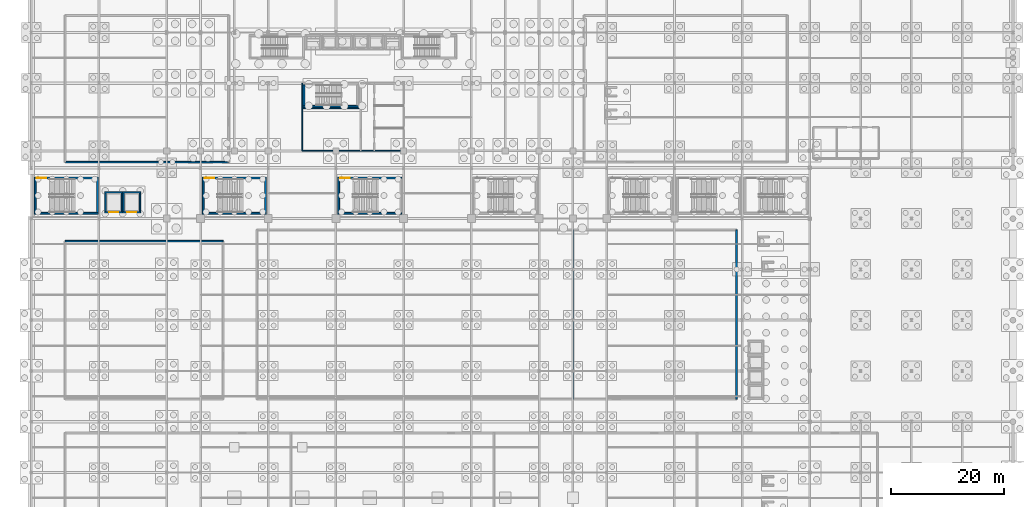
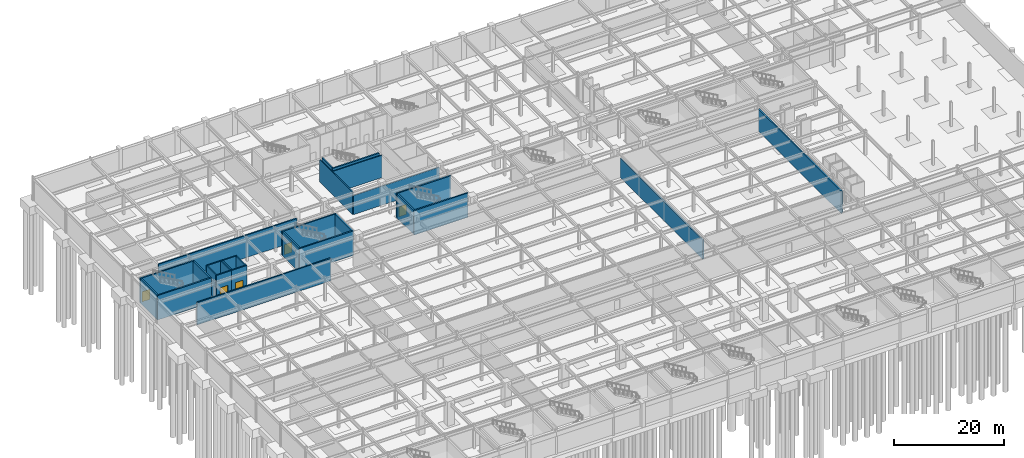
# One storey, part 28 of 47: 28 walls, 5 doors, 5 openings.
"""IFC4 building model written with IfcOpenShell, lengths in metres."""

from ifc_helpers import new_model, si_unit, direction, frame, frame_2d, origin, place, context, subcontext, project, spatial, rectangle, extrude, material, layer, layer_set, type_object, element, fill, save


model = new_model("IFC4")

# Units and contexts
model_context = context("Model", 3, precision=1e-05, world=origin(), true_north=direction((0.0, 1.0)))
body_context = subcontext(model_context, "Body", "Model", "MODEL_VIEW")
ifc_project = project(units=[si_unit("LENGTHUNIT", "METRE"), si_unit("AREAUNIT", "SQUARE_METRE"), si_unit("VOLUMEUNIT", "CUBIC_METRE"), si_unit("PLANEANGLEUNIT", "RADIAN"), si_unit("MASSUNIT", "GRAM", prefix="KILO")], contexts=[model_context])

# Site, building, storey
site_placement = place(None, origin())
site = spatial("IfcSite", under=ifc_project, at=site_placement, CompositionType="ELEMENT")
building_placement = place(site_placement, origin())
building = spatial("IfcBuilding", under=site, at=building_placement, Name="Kaldorvane Square Convention Centre", CompositionType="ELEMENT")
storey_placement = place(building_placement, frame((0.0, 0.0, -5.399993896484375)))
storey = spatial("IfcBuildingStorey", under=building, at=storey_placement, Name="B01", CompositionType="ELEMENT", Elevation=-5.399993896484375)

# Walls
ifc_material_1 = material(Name="Reinforced Concrete Masonry Acoustic Partition", Category="masonry")
ifc_layer_1 = layer(ifc_material_1, 0.279998779296875)
ifc_layer_set_1 = layer_set([ifc_layer_1], Name="Reinforced Concrete Masonry Acoustic Partition")
wall_type_1 = type_object("IfcWallType", Name="WL-ACO-280", PredefinedType="PARTITIONING", material=ifc_layer_set_1)
wall_1_placement = place(storey_placement, frame((34.0, 68.0, 0.0), z_axis=(0.0, 0.0, 1.0), x_axis=(-1.0, 0.0, 0.0)))
element("IfcWall", 1, at=wall_1_placement, inside=storey, type_object=wall_type_1, Name="Fire Pump and Domestic Booster Water Room N Wall", PredefinedType="PARTITIONING", context=body_context, shape_type="SweptSolid", body=[
    extrude(rectangle(XDim=28.0, YDim=0.279998779296875, at=frame_2d((14.0, 0.0))), origin(), (0.0, 0.0, 1.0), 4.959991455078125),
])
wall_2_placement = place(storey_placement, frame((96.0, 40.0, 0.0), z_axis=(0.0, 0.0, 1.0), x_axis=(0.0, 1.0, 0.0)))
element("IfcWall", 2, at=wall_2_placement, inside=storey, type_object=wall_type_1, Name="Exhibition Crate Marshalling and Rigging Storage E Wall", PredefinedType="PARTITIONING", context=body_context, shape_type="SweptSolid", body=[
    extrude(rectangle(XDim=30.0, YDim=0.279998779296875, at=frame_2d((15.0, 0.0))), origin(), (0.0, 0.0, 1.0), 4.25299072265625),
])
wall_3_placement = place(storey_placement, frame((125.0, 40.0, 0.0), z_axis=(0.0, 0.0, 1.0), x_axis=(0.0, 1.0, 0.0)))
element("IfcWall", 3, at=wall_3_placement, inside=storey, type_object=wall_type_1, Name="Central Banquet Commissary Kitchen E Wall", PredefinedType="PARTITIONING", context=body_context, shape_type="SweptSolid", body=[
    extrude(rectangle(XDim=30.0, YDim=0.279998779296875, at=frame_2d((15.0, 0.0))), origin(), (0.0, 0.0, 1.0), 4.959991455078125),
])
wall_4_placement = place(storey_placement, frame((6.0, 82.0, 0.0), z_axis=(0.0, 0.0, 1.0), x_axis=(1.0, 0.0, 0.0)))
element("IfcWall", 4, at=wall_4_placement, inside=storey, type_object=wall_type_1, Name="Hotel Linen and Uniform Laundry Plant S Wall", PredefinedType="PARTITIONING", context=body_context, shape_type="SweptSolid", body=[
    extrude(rectangle(XDim=29.0, YDim=0.279998779296875, at=frame_2d((14.5, 0.0))), origin(), (0.0, 0.0, 1.0), 4.959991455078125),
])
ifc_material_2 = material(Name="Fire-Rated Gypsum Board on Acoustic Steel Studs", Category="steel")
ifc_layer_2 = layer(ifc_material_2, 0.1999969482421875)
ifc_layer_set_2 = layer_set([ifc_layer_2], Name="Fire-Rated Gypsum Board on Acoustic Steel Studs")
wall_type_2 = type_object("IfcWallType", Name="WL-CORR-200", PredefinedType="PARTITIONING", material=ifc_layer_set_2)
wall_5_placement = place(storey_placement, frame((48.0, 84.0, 0.0), z_axis=(0.0, 0.0, 1.0), x_axis=(1.0, 0.0, 0.0)))
element("IfcWall", 5, at=wall_5_placement, inside=storey, type_object=wall_type_2, Name="Service Block South Partition (B01)", PredefinedType="PARTITIONING", context=body_context, shape_type="SweptSolid", body=[
    extrude(rectangle(XDim=18.0, YDim=0.1999969482421875, at=frame_2d((9.0, 0.0))), origin(), (0.0, 0.0, 1.0), 4.2419891357421875),
])
wall_6_placement = place(storey_placement, frame((48.0, 91.60000610351562, 0.0), z_axis=(0.0, 0.0, 1.0), x_axis=(1.0, 0.0, 0.0)))
element("IfcWall", 6, at=wall_6_placement, inside=storey, type_object=wall_type_2, Name="Housekeeping North Wall (B01)", PredefinedType="PARTITIONING", context=body_context, shape_type="SweptSolid", body=[
    extrude(rectangle(XDim=10.399993896484375, YDim=0.1999969482421875, at=frame_2d((5.1999969482421875, 0.0))), origin(), (0.0, 0.0, 1.0), 4.959991455078125),
])
wall_7_placement = place(storey_placement, frame((48.0, 84.0, 0.0), z_axis=(0.0, 0.0, 1.0), x_axis=(0.0, 1.0, 0.0)))
element("IfcWall", 7, at=wall_7_placement, inside=storey, type_object=wall_type_2, Name="Service Block West Wall (B01)", PredefinedType="PARTITIONING", context=body_context, shape_type="SweptSolid", body=[
    extrude(rectangle(XDim=12.0, YDim=0.1999969482421875, at=frame_2d((6.0, 0.0))), origin(), (0.0, 0.0, 1.0), 4.959991455078125),
])
ifc_material_3 = material(Name="Concrete f'c = 55 MPa (Normalweight)", Category="concrete")
ifc_layer_3 = layer(ifc_material_3, 0.3000030517578125)
ifc_layer_set_3 = layer_set([ifc_layer_3], Name="Concrete f'c = 55 MPa (Normalweight)")
wall_type_3 = type_object("IfcWallType", Name="WL-SHAFT-300", PredefinedType="SHEAR", material=ifc_layer_set_3)
wall_8_placement = place(storey_placement, frame((48.19999694824219, 91.91000366210938, 0.0), z_axis=(0.0, 0.0, 1.0), x_axis=(1.0, 0.0, 0.0)))
element("IfcWall", 8, at=wall_8_placement, inside=storey, type_object=wall_type_3, Name="Core Enclosure Wall stair:ST-T3-S (B01)", PredefinedType="SHEAR", context=body_context, shape_type="SweptSolid", body=[
    extrude(rectangle(XDim=9.800003051757812, YDim=0.3000030517578125, at=frame_2d((4.899993896484375, 0.0))), origin(), (0.0, 0.0, 1.0), 5.399993896484375),
])
wall_9_placement = place(storey_placement, frame((48.350006103515625, 95.69999694824219, 0.0), z_axis=(0.0, 0.0, 1.0), x_axis=(0.0, -1.0, 0.0)))
element("IfcWall", 9, at=wall_9_placement, inside=storey, type_object=wall_type_3, Name="Core Enclosure Wall stair:ST-T3-W (B01)", PredefinedType="SHEAR", context=body_context, shape_type="SweptSolid", body=[
    extrude(rectangle(XDim=3.6399993896484375, YDim=0.3000030517578125, at=frame_2d((1.82000732421875, 0.0))), origin(), (0.0, 0.0, 1.0), 5.399993896484375),
])
wall_10_placement = place(storey_placement, frame((0.55999755859375, 72.94999694824219, 0.0), z_axis=(0.0, 0.0, 1.0), x_axis=(1.0, 0.0, 0.0)))
element("IfcWall", 10, at=wall_10_placement, inside=storey, type_object=wall_type_3, Name="Core Enclosure Wall stair:ST-C12-S (B01)", PredefinedType="SHEAR", context=body_context, shape_type="SweptSolid", body=[
    extrude(rectangle(XDim=11.32000732421875, YDim=0.3000030517578125, at=frame_2d((5.660003662109375, 0.0))), origin(), (0.0, 0.0, 1.0), 5.399993896484375),
])

# Wall, opening, door
wall_11_placement = place(storey_placement, frame((11.8800048828125, 79.21000671386719, 0.0), z_axis=(0.0, 0.0, 1.0), x_axis=(-1.0, 0.0, 0.0)))
wall_11 = element("IfcWall", 11, at=wall_11_placement, inside=storey, type_object=wall_type_3, Name="Core Enclosure Wall stair:ST-C12-N (B01)", PredefinedType="SHEAR", context=body_context, shape_type="SweptSolid", body=[
    extrude(rectangle(XDim=11.32000732421875, YDim=0.3000030517578125, at=frame_2d((5.660003662109375, 0.0))), origin(), (0.0, 0.0, 1.0), 5.399993896484375),
])
opening_1_placement = place(wall_11_placement, frame((9.220001220703125, 0.0, 0.0)))
opening_1 = element("IfcOpeningElement", 12, at=opening_1_placement, cuts=wall_11, Name="Opening FD90-S2", PredefinedType="OPENING", context=body_context, shape_type="SweptSolid", body=[
    extrude(rectangle(XDim=1.649993896484375, YDim=2.25, at=frame_2d((0.8249969482421875, 1.125))), frame((0.0, 0.165008544921875, 0.0), z_axis=(0.0, -1.0, 0.0), x_axis=(1.0, 0.0, 0.0)), (0.0, 0.0, 1.0), 0.3300018310546875),
])
ifc_material_4 = material(Name="Fire-Rated Hollow Metal Steel", Category="steel")
door_type_1 = type_object("IfcDoorType", Name="DR-STAIR-1650", OperationType="DOUBLE_DOOR_SINGLE_SWING", PredefinedType="DOOR", material=ifc_material_4)
door_1_placement = place(opening_1_placement, origin())
door_1 = element("IfcDoor", 13, at=door_1_placement, inside=storey, type_object=door_type_1, Name="Convention Exit Stair C12 Fire Door (B01)", OperationType="DOUBLE_DOOR_SINGLE_SWING", OverallHeight=2.25, OverallWidth=1.649993896484375, PredefinedType="DOOR", context=body_context, shape_type="SweptSolid", body=[
    extrude(rectangle(XDim=1.649993896484375, YDim=2.25, at=frame_2d((0.8249969482421875, 1.125))), frame((0.0, 0.024993896484375, 0.0), z_axis=(0.0, -1.0, 0.0), x_axis=(1.0, 0.0, 0.0)), (0.0, 0.0, 1.0), 0.0500030517578125),
])
fill(opening_1, door_1)

# Walls
for number, where, z_axis, x_axis, name in (
    (14, (0.7100067138671875, 79.05999755859375, 0.0), (0.0, 0.0, 1.0), (0.0, -1.0, 0.0), "Core Enclosure Wall stair:ST-C12-W (B01)"),
    (15, (11.729995727539062, 73.10000610351562, 0.0), (0.0, 0.0, 1.0), (0.0, 1.0, 0.0), "Core Enclosure Wall stair:ST-C12-E (B01)"),
):
    element("IfcWall", number, at=place(storey_placement, frame(where, z_axis=z_axis, x_axis=x_axis)), inside=storey, type_object=wall_type_3, Name=name, PredefinedType="SHEAR", context=body_context, shape_type="SweptSolid", body=[
        extrude(rectangle(XDim=5.959991455078125, YDim=0.3000030517578125, at=frame_2d((2.9799957275390625, 0.0))), origin(), (0.0, 0.0, 1.0), 5.399993896484375),
    ])
wall_12_placement = place(storey_placement, frame((30.339996337890625, 72.94999694824219, 0.0), z_axis=(0.0, 0.0, 1.0), x_axis=(1.0, 0.0, 0.0)))
element("IfcWall", 16, at=wall_12_placement, inside=storey, type_object=wall_type_3, Name="Core Enclosure Wall stair:ST-C13-S (B01)", PredefinedType="SHEAR", context=body_context, shape_type="SweptSolid", body=[
    extrude(rectangle(XDim=11.32000732421875, YDim=0.3000030517578125, at=frame_2d((5.660003662109375, 0.0))), origin(), (0.0, 0.0, 1.0), 5.399993896484375),
])

# Wall, opening, door
wall_13_placement = place(storey_placement, frame((41.660003662109375, 79.21000671386719, 0.0), z_axis=(0.0, 0.0, 1.0), x_axis=(-1.0, 0.0, 0.0)))
wall_13 = element("IfcWall", 17, at=wall_13_placement, inside=storey, type_object=wall_type_3, Name="Core Enclosure Wall stair:ST-C13-N (B01)", PredefinedType="SHEAR", context=body_context, shape_type="SweptSolid", body=[
    extrude(rectangle(XDim=11.32000732421875, YDim=0.3000030517578125, at=frame_2d((5.660003662109375, 0.0))), origin(), (0.0, 0.0, 1.0), 5.399993896484375),
])
opening_2_placement = place(wall_13_placement, frame((9.220001220703125, 0.0, 0.0)))
opening_2 = element("IfcOpeningElement", 18, at=opening_2_placement, cuts=wall_13, Name="Opening FD90-S2", PredefinedType="OPENING", context=body_context, shape_type="SweptSolid", body=[
    extrude(rectangle(XDim=1.649993896484375, YDim=2.25, at=frame_2d((0.8249969482421875, 1.125))), frame((0.0, 0.165008544921875, 0.0), z_axis=(0.0, -1.0, 0.0), x_axis=(1.0, 0.0, 0.0)), (0.0, 0.0, 1.0), 0.3300018310546875),
])
door_2_placement = place(opening_2_placement, origin())
door_2 = element("IfcDoor", 19, at=door_2_placement, inside=storey, type_object=door_type_1, Name="Convention Exit Stair C13 Fire Door (B01)", OperationType="DOUBLE_DOOR_SINGLE_SWING", OverallHeight=2.25, OverallWidth=1.649993896484375, PredefinedType="DOOR", context=body_context, shape_type="SweptSolid", body=[
    extrude(rectangle(XDim=1.649993896484375, YDim=2.25, at=frame_2d((0.8249969482421875, 1.125))), frame((0.0, 0.024993896484375, 0.0), z_axis=(0.0, -1.0, 0.0), x_axis=(1.0, 0.0, 0.0)), (0.0, 0.0, 1.0), 0.0500030517578125),
])
fill(opening_2, door_2)

# Walls
for number, where, z_axis, x_axis, name in (
    (20, (30.490005493164062, 79.05999755859375, 0.0), (0.0, 0.0, 1.0), (0.0, -1.0, 0.0), "Core Enclosure Wall stair:ST-C13-W (B01)"),
    (21, (41.50999450683594, 73.10000610351562, 0.0), (0.0, 0.0, 1.0), (0.0, 1.0, 0.0), "Core Enclosure Wall stair:ST-C13-E (B01)"),
):
    element("IfcWall", number, at=place(storey_placement, frame(where, z_axis=z_axis, x_axis=x_axis)), inside=storey, type_object=wall_type_3, Name=name, PredefinedType="SHEAR", context=body_context, shape_type="SweptSolid", body=[
        extrude(rectangle(XDim=5.959991455078125, YDim=0.3000030517578125, at=frame_2d((2.9799957275390625, 0.0))), origin(), (0.0, 0.0, 1.0), 5.399993896484375),
    ])
wall_14_placement = place(storey_placement, frame((54.339996337890625, 72.94999694824219, 0.0), z_axis=(0.0, 0.0, 1.0), x_axis=(1.0, 0.0, 0.0)))
element("IfcWall", 22, at=wall_14_placement, inside=storey, type_object=wall_type_3, Name="Core Enclosure Wall stair:ST-C14-S (B01)", PredefinedType="SHEAR", context=body_context, shape_type="SweptSolid", body=[
    extrude(rectangle(XDim=11.32000732421875, YDim=0.3000030517578125, at=frame_2d((5.660003662109375, 0.0))), origin(), (0.0, 0.0, 1.0), 5.399993896484375),
])

# Wall, opening, door
wall_15_placement = place(storey_placement, frame((65.66000366210938, 79.21000671386719, 0.0), z_axis=(0.0, 0.0, 1.0), x_axis=(-1.0, 0.0, 0.0)))
wall_15 = element("IfcWall", 23, at=wall_15_placement, inside=storey, type_object=wall_type_3, Name="Core Enclosure Wall stair:ST-C14-N (B01)", PredefinedType="SHEAR", context=body_context, shape_type="SweptSolid", body=[
    extrude(rectangle(XDim=11.32000732421875, YDim=0.3000030517578125, at=frame_2d((5.660003662109375, 0.0))), origin(), (0.0, 0.0, 1.0), 5.399993896484375),
])
opening_3_placement = place(wall_15_placement, frame((9.220001220703125, 0.0, 0.0)))
opening_3 = element("IfcOpeningElement", 24, at=opening_3_placement, cuts=wall_15, Name="Opening FD90-S2", PredefinedType="OPENING", context=body_context, shape_type="SweptSolid", body=[
    extrude(rectangle(XDim=1.649993896484375, YDim=2.25, at=frame_2d((0.8249969482421875, 1.125))), frame((0.0, 0.165008544921875, 0.0), z_axis=(0.0, -1.0, 0.0), x_axis=(1.0, 0.0, 0.0)), (0.0, 0.0, 1.0), 0.3300018310546875),
])
door_3_placement = place(opening_3_placement, origin())
door_3 = element("IfcDoor", 25, at=door_3_placement, inside=storey, type_object=door_type_1, Name="Convention Exit Stair C14 Fire Door (B01)", OperationType="DOUBLE_DOOR_SINGLE_SWING", OverallHeight=2.25, OverallWidth=1.649993896484375, PredefinedType="DOOR", context=body_context, shape_type="SweptSolid", body=[
    extrude(rectangle(XDim=1.649993896484375, YDim=2.25, at=frame_2d((0.8249969482421875, 1.125))), frame((0.0, 0.024993896484375, 0.0), z_axis=(0.0, -1.0, 0.0), x_axis=(1.0, 0.0, 0.0)), (0.0, 0.0, 1.0), 0.0500030517578125),
])
fill(opening_3, door_3)

# Wall
wall_16_placement = place(storey_placement, frame((54.49000549316406, 79.05999755859375, 0.0), z_axis=(0.0, 0.0, 1.0), x_axis=(0.0, -1.0, 0.0)))
element("IfcWall", 26, at=wall_16_placement, inside=storey, type_object=wall_type_3, Name="Core Enclosure Wall stair:ST-C14-W (B01)", PredefinedType="SHEAR", context=body_context, shape_type="SweptSolid", body=[
    extrude(rectangle(XDim=5.959991455078125, YDim=0.3000030517578125, at=frame_2d((2.9799957275390625, 0.0))), origin(), (0.0, 0.0, 1.0), 5.399993896484375),
])

# Wall, opening, door
wall_17_placement = place(storey_placement, frame((13.0, 73.125, 0.0), z_axis=(0.0, 0.0, 1.0), x_axis=(1.0, 0.0, 0.0)))
wall_17 = element("IfcWall", 27, at=wall_17_placement, inside=storey, type_object=wall_type_3, Name="Core Enclosure Wall lift:EL-G1-S (B01)", PredefinedType="SHEAR", context=body_context, shape_type="SweptSolid", body=[
    extrude(rectangle(XDim=3.1999969482421875, YDim=0.25, at=frame_2d((1.600006103515625, 0.0))), origin(), (0.0, 0.0, 1.0), 5.399993896484375),
])
opening_4_placement = place(wall_17_placement, frame((0.8000030517578125, 0.0, 0.0)))
opening_4 = element("IfcOpeningElement", 28, at=opening_4_placement, cuts=wall_17, Name="Opening LD-03", PredefinedType="OPENING", context=body_context, shape_type="SweptSolid", body=[
    extrude(rectangle(XDim=1.600006103515625, YDim=2.399993896484375, at=frame_2d((0.8000030517578125, 1.1999969482421875))), frame((0.0, 0.1399993896484375, 0.0), z_axis=(0.0, -1.0, 0.0), x_axis=(1.0, 0.0, 0.0)), (0.0, 0.0, 1.0), 0.279998779296875),
])
ifc_material_5 = material(Name="Stainless Steel Elevator Door Assembly", Category="steel")
door_type_2 = type_object("IfcDoorType", Name="DR-LIFT-1600", OperationType="DOUBLE_DOOR_SLIDING", PredefinedType="DOOR", material=ifc_material_5)
door_4_placement = place(opening_4_placement, origin())
door_4 = element("IfcDoor", 29, at=door_4_placement, inside=storey, type_object=door_type_2, Name="Elevator Landing Door EL-G1 (B01)", OperationType="DOUBLE_DOOR_SLIDING", OverallHeight=2.399993896484375, OverallWidth=1.600006103515625, PredefinedType="DOOR", context=body_context, shape_type="SweptSolid", body=[
    extrude(rectangle(XDim=1.600006103515625, YDim=2.399993896484375, at=frame_2d((0.8000030517578125, 1.1999969482421875))), frame((0.0, 0.024993896484375, 0.0), z_axis=(0.0, -1.0, 0.0), x_axis=(1.0, 0.0, 0.0)), (0.0, 0.0, 1.0), 0.0500030517578125),
])
fill(opening_4, door_4)

# Walls
wall_18_placement = place(storey_placement, frame((16.199996948242188, 76.67500305175781, 0.0), z_axis=(0.0, 0.0, 1.0), x_axis=(-1.0, 0.0, 0.0)))
element("IfcWall", 30, at=wall_18_placement, inside=storey, type_object=wall_type_3, Name="Core Enclosure Wall lift:EL-G1-N (B01)", PredefinedType="SHEAR", context=body_context, shape_type="SweptSolid", body=[
    extrude(rectangle(XDim=3.1999969482421875, YDim=0.25, at=frame_2d((1.600006103515625, 0.0))), origin(), (0.0, 0.0, 1.0), 5.399993896484375),
])
for number, where, z_axis, x_axis, name in (
    (31, (13.125, 76.55000305175781, 0.0), (0.0, 0.0, 1.0), (0.0, -1.0, 0.0), "Core Enclosure Wall lift:EL-G1-W (B01)"),
    (32, (16.074996948242188, 73.25, 0.0), (0.0, 0.0, 1.0), (0.0, 1.0, 0.0), "Core Enclosure Wall lift:EL-G1-E (B01)"),
):
    element("IfcWall", number, at=place(storey_placement, frame(where, z_axis=z_axis, x_axis=x_axis)), inside=storey, type_object=wall_type_3, Name=name, PredefinedType="SHEAR", context=body_context, shape_type="SweptSolid", body=[
        extrude(rectangle(XDim=3.3000030517578125, YDim=0.25, at=frame_2d((1.649993896484375, 0.0))), origin(), (0.0, 0.0, 1.0), 5.399993896484375),
    ])

# Wall, opening, door
wall_19_placement = place(storey_placement, frame((16.199996948242188, 73.125, 0.0), z_axis=(0.0, 0.0, 1.0), x_axis=(1.0, 0.0, 0.0)))
wall_19 = element("IfcWall", 33, at=wall_19_placement, inside=storey, type_object=wall_type_3, Name="Core Enclosure Wall lift:EL-G2-S (B01)", PredefinedType="SHEAR", context=body_context, shape_type="SweptSolid", body=[
    extrude(rectangle(XDim=3.1999969482421875, YDim=0.25, at=frame_2d((1.600006103515625, 0.0))), origin(), (0.0, 0.0, 1.0), 5.399993896484375),
])
opening_5_placement = place(wall_19_placement, frame((0.8000030517578125, 0.0, 0.0)))
opening_5 = element("IfcOpeningElement", 34, at=opening_5_placement, cuts=wall_19, Name="Opening LD-03", PredefinedType="OPENING", context=body_context, shape_type="SweptSolid", body=[
    extrude(rectangle(XDim=1.600006103515625, YDim=2.399993896484375, at=frame_2d((0.8000030517578125, 1.1999969482421875))), frame((0.0, 0.1399993896484375, 0.0), z_axis=(0.0, -1.0, 0.0), x_axis=(1.0, 0.0, 0.0)), (0.0, 0.0, 1.0), 0.279998779296875),
])
door_5_placement = place(opening_5_placement, origin())
door_5 = element("IfcDoor", 35, at=door_5_placement, inside=storey, type_object=door_type_2, Name="Elevator Landing Door EL-G2 (B01)", OperationType="DOUBLE_DOOR_SLIDING", OverallHeight=2.399993896484375, OverallWidth=1.600006103515625, PredefinedType="DOOR", context=body_context, shape_type="SweptSolid", body=[
    extrude(rectangle(XDim=1.600006103515625, YDim=2.399993896484375, at=frame_2d((0.8000030517578125, 1.1999969482421875))), frame((0.0, 0.024993896484375, 0.0), z_axis=(0.0, -1.0, 0.0), x_axis=(1.0, 0.0, 0.0)), (0.0, 0.0, 1.0), 0.0500030517578125),
])
fill(opening_5, door_5)

# Walls
wall_20_placement = place(storey_placement, frame((19.399993896484375, 76.67500305175781, 0.0), z_axis=(0.0, 0.0, 1.0), x_axis=(-1.0, 0.0, 0.0)))
element("IfcWall", 36, at=wall_20_placement, inside=storey, type_object=wall_type_3, Name="Core Enclosure Wall lift:EL-G2-N (B01)", PredefinedType="SHEAR", context=body_context, shape_type="SweptSolid", body=[
    extrude(rectangle(XDim=3.1999969482421875, YDim=0.25, at=frame_2d((1.600006103515625, 0.0))), origin(), (0.0, 0.0, 1.0), 5.399993896484375),
])
for number, where, z_axis, x_axis, name in (
    (37, (16.324996948242188, 76.55000305175781, 0.0), (0.0, 0.0, 1.0), (0.0, -1.0, 0.0), "Core Enclosure Wall lift:EL-G2-W (B01)"),
    (38, (19.274993896484375, 73.25, 0.0), (0.0, 0.0, 1.0), (0.0, 1.0, 0.0), "Core Enclosure Wall lift:EL-G2-E (B01)"),
):
    element("IfcWall", number, at=place(storey_placement, frame(where, z_axis=z_axis, x_axis=x_axis)), inside=storey, type_object=wall_type_3, Name=name, PredefinedType="SHEAR", context=body_context, shape_type="SweptSolid", body=[
        extrude(rectangle(XDim=3.3000030517578125, YDim=0.25, at=frame_2d((1.649993896484375, 0.0))), origin(), (0.0, 0.0, 1.0), 5.399993896484375),
    ])

save(model, "model.ifc")
